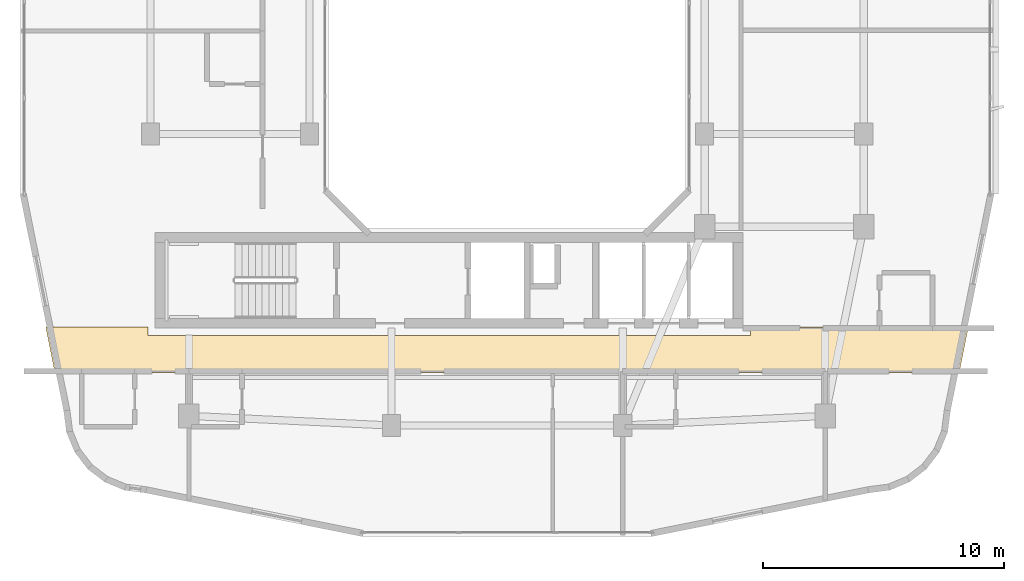
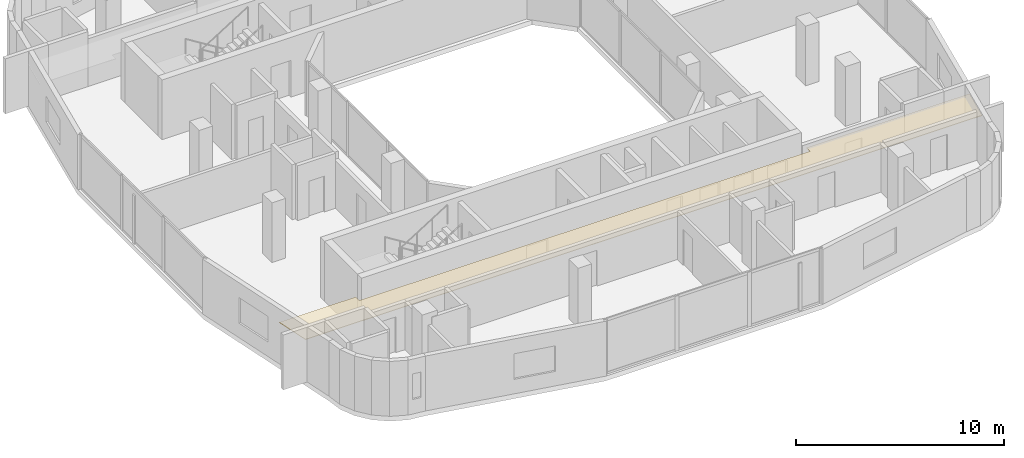
# One storey, part 12 of 14: 1 covering.
"""IFC4 building model written with IfcOpenShell, lengths in metres."""

import ifcopenshell
import ifcopenshell.guid

model = None  # the IFC model being written
_history = None  # IfcOwnerHistory: only IFC2X3 demands one
_inside = {}  # id of a spatial element -> (the spatial element, [elements in it])
_under = {}  # id of a project, library or spatial element -> (it, [spatial elements below it])
_declared = {}  # id of a project -> (the project, [libraries it declares])
_typed = {}  # id of a type object -> (the type object, [elements of that type])
_made_of = {}  # id of a material, layer set ... -> (it, [elements and type objects made of it])


def new_model(schema):
    """Start an empty IFC model of exactly this schema.

    Asked for "IFC4X3", IfcOpenShell would pick the latest addendum, in which some entities
    have other attributes; the version numbers below select the first issue.
    IFC2X3 requires an IfcOwnerHistory on every rooted entity: one is made here for all.
    """
    global model, _history
    if schema == "IFC4X3":
        model = ifcopenshell.file(schema_version=(4, 3, 0, 0))
    else:
        model = ifcopenshell.file(schema=schema)
    _inside.clear()
    _under.clear()
    _declared.clear()
    _typed.clear()
    _made_of.clear()
    _history = None
    if model.schema == "IFC2X3":
        org = make("IfcOrganization", Name="unknown")
        user = make(
            "IfcPersonAndOrganization",
            ThePerson=make("IfcPerson", FamilyName="unknown"),
            TheOrganization=org,
        )
        app = make(
            "IfcApplication",
            ApplicationDeveloper=org,
            Version="unknown",
            ApplicationFullName="unknown",
            ApplicationIdentifier="unknown",
        )
        _history = make(
            "IfcOwnerHistory",
            OwningUser=user,
            OwningApplication=app,
            ChangeAction="ADDED",
            CreationDate=0,
        )
    return model


def make(cls, **values):
    """One entity of the class cls with the attributes given. An attribute that is None is left unset."""
    return model.create_entity(
        cls, **{name: value for name, value in values.items() if value is not None}
    )


def rooted(cls, **values):
    """An entity with a GlobalId (a new one), such as an element, a storey or a relation."""
    return make(cls, GlobalId=ifcopenshell.guid.new(), OwnerHistory=_history, **values)


def si_unit(unit_type, name, prefix=None):
    """IfcSIUnit, for example si_unit("LENGTHUNIT", "METRE", prefix="MILLI")."""
    return make("IfcSIUnit", UnitType=unit_type, Prefix=prefix, Name=name)


def derived_unit(unit_type, elements):
    """IfcDerivedUnit: a product of units, each with its exponent."""
    return make(
        "IfcDerivedUnit",
        Elements=[
            make("IfcDerivedUnitElement", Unit=unit, Exponent=power)
            for unit, power in elements
        ],
        UnitType=unit_type,
    )


def assignment(units):
    """IfcUnitAssignment: the units of a project."""
    return None if units is None else make("IfcUnitAssignment", Units=units)


def point(xyz):
    """IfcCartesianPoint."""
    return None if xyz is None else make("IfcCartesianPoint", Coordinates=xyz)


def direction(xyz):
    """IfcDirection."""
    return None if xyz is None else make("IfcDirection", DirectionRatios=xyz)


def frame(location, z_axis=None, x_axis=None):
    """IfcAxis2Placement3D, a coordinate frame: its origin and axes. An axis left out is left unset."""
    return make(
        "IfcAxis2Placement3D",
        Location=point(location),
        Axis=direction(z_axis),
        RefDirection=direction(x_axis),
    )


def origin():
    """The frame at (0, 0, 0) with its axes left unset."""
    return frame((0.0, 0.0, 0.0))


def place(relative_to, where):
    """IfcLocalPlacement: puts the frame where relative to a parent placement (None: the world)."""
    return make(
        "IfcLocalPlacement", PlacementRelTo=relative_to, RelativePlacement=where
    )


def context(
    kind, dimensions, precision=None, world=None, true_north=None, identifier=None
):
    """IfcGeometricRepresentationContext, for example the 3D "Model" context."""
    return make(
        "IfcGeometricRepresentationContext",
        ContextIdentifier=identifier,
        ContextType=kind,
        CoordinateSpaceDimension=dimensions,
        Precision=precision,
        WorldCoordinateSystem=world,
        TrueNorth=true_north,
    )


def subcontext(parent, identifier, kind, view, scale=None):
    """IfcGeometricRepresentationSubContext, for example "Body" below "Model"."""
    return make(
        "IfcGeometricRepresentationSubContext",
        ContextIdentifier=identifier,
        ContextType=kind,
        ParentContext=parent,
        TargetScale=scale,
        TargetView=view,
    )


def project(units=None, contexts=None):
    """IfcProject with its units and contexts."""
    return rooted(
        "IfcProject",
        Name="project",
        RepresentationContexts=contexts,
        UnitsInContext=assignment(units),
    )


def spatial(cls, under=None, at=None, **own):
    """A site, building, storey or space (cls), placed at a placement, below another one or the project."""
    s = rooted(cls, ObjectPlacement=at, **own)
    if under is not None:
        _under.setdefault(under.id(), (under, []))[1].append(s)
    return s


def polyline(points):
    """IfcPolyline through the points."""
    return make("IfcPolyline", Points=[point(p) for p in points])


def outline(outer, holes=None, kind="AREA"):
    """IfcArbitraryClosedProfileDef: a profile drawn as a closed curve; with holes, ...WithVoids."""
    if holes is None:
        return make("IfcArbitraryClosedProfileDef", ProfileType=kind, OuterCurve=outer)
    return make(
        "IfcArbitraryProfileDefWithVoids",
        ProfileType=kind,
        OuterCurve=outer,
        InnerCurves=holes,
    )


def extrude(swept, where, along, depth):
    """IfcExtrudedAreaSolid: the profile swept, set in the frame where, extruded along a direction by depth."""
    return make(
        "IfcExtrudedAreaSolid",
        SweptArea=swept,
        Position=where,
        ExtrudedDirection=direction(along),
        Depth=depth,
    )


def shape(context_of_items, identifier, shape_type, items):
    """IfcShapeRepresentation: the items that make up one representation, for example the "Body"."""
    return make(
        "IfcShapeRepresentation",
        ContextOfItems=context_of_items,
        RepresentationIdentifier=identifier,
        RepresentationType=shape_type,
        Items=items,
    )


def material(Name=None, Category=None):
    """IfcMaterial."""
    return make("IfcMaterial", Name=Name, Category=Category)


def layer(
    of_material, thickness, ventilated=None, Name=None, Category=None, Priority=None
):
    """IfcMaterialLayer: one layer of a wall or slab, of a material (None: an air gap)."""
    return make(
        "IfcMaterialLayer",
        Material=of_material,
        LayerThickness=thickness,
        IsVentilated=ventilated,
        Name=Name,
        Category=Category,
        Priority=Priority,
    )


def layer_set(layers, Name=None):
    """IfcMaterialLayerSet."""
    return make("IfcMaterialLayerSet", MaterialLayers=layers, LayerSetName=Name)


def made_of(thing, what):
    """Note that an element or type object is made of a material, layer set ...; save() writes the relation."""
    if what is not None:
        _made_of.setdefault(what.id(), (what, []))[1].append(thing)
    return thing


def type_object(cls, material=None, **own):
    """A type object (cls), such as IfcWallType, which elements share."""
    return made_of(rooted(cls, **own), material)


def element(
    cls,
    number,
    at=None,
    inside=None,
    cuts=None,
    type_object=None,
    material=None,
    context=None,
    identifier="Body",
    shape_type=None,
    held_by="IfcProductDefinitionShape",
    body=None,
    shapes=None,
    **own,
):
    """One element of the class cls, such as IfcWall. Its Tag is "e" and its number.

    at: its placement. inside: the storey or other place that contains it. cuts: it is an
    opening in that element (IfcRelVoidsElement). A single representation is given by context,
    identifier, shape_type and body (its items); several are given by shapes. held_by: the class
    of the entity that holds the representations. save() writes the other relations.
    """
    e = rooted(cls, Tag="e%d" % number, ObjectPlacement=at, **own)
    if body is not None:
        shapes = [shape(context, identifier, shape_type, body)]
    if shapes is not None:
        e.Representation = make(held_by, Representations=shapes)
    if inside is not None:
        _inside.setdefault(inside.id(), (inside, []))[1].append(e)
    if cuts is not None:
        rooted(
            "IfcRelVoidsElement", RelatingBuildingElement=cuts, RelatedOpeningElement=e
        )
    if type_object is not None:
        _typed.setdefault(type_object.id(), (type_object, []))[1].append(e)
    return made_of(e, material)


def aggregate(whole, parts):
    """IfcRelAggregates: a whole, such as a stair, and the parts it consists of."""
    return rooted("IfcRelAggregates", RelatingObject=whole, RelatedObjects=parts)


def save(model, path):
    """Write the relations noted so far, then the file.

    IfcRelAggregates (storeys below a building ...), IfcRelContainedInSpatialStructure (elements
    in a storey), IfcRelDefinesByType, IfcRelAssociatesMaterial and IfcRelDeclares: one each for
    every whole, place, type object, material and project.
    """
    for whole, parts in _under.values():
        aggregate(whole, parts)
    for where, things in _inside.values():
        rooted(
            "IfcRelContainedInSpatialStructure",
            RelatedElements=things,
            RelatingStructure=where,
        )
    for kind, things in _typed.values():
        rooted("IfcRelDefinesByType", RelatedObjects=things, RelatingType=kind)
    for what, things in _made_of.values():
        rooted("IfcRelAssociatesMaterial", RelatedObjects=things, RelatingMaterial=what)
    for by, libraries in _declared.values():
        rooted("IfcRelDeclares", RelatingContext=by, RelatedDefinitions=libraries)
    model.write(path)


model = new_model("IFC4")

# Units and contexts
model_context = context("Model", 3, precision=1e-05, world=origin(), true_north=direction((0.0, 1.0)))
body_context = subcontext(model_context, "Body", "Model", "MODEL_VIEW")
ifc_project = project(units=[si_unit("LENGTHUNIT", "METRE"), si_unit("AREAUNIT", "SQUARE_METRE"), si_unit("VOLUMEUNIT", "CUBIC_METRE"), si_unit("PLANEANGLEUNIT", "RADIAN"), si_unit("MASSUNIT", "GRAM", prefix="KILO"), derived_unit("THERMALTRANSMITTANCEUNIT", [(si_unit("POWERUNIT", "WATT"), 1), (si_unit("LENGTHUNIT", "METRE"), -2), (si_unit("THERMODYNAMICTEMPERATUREUNIT", "KELVIN"), -1)])], contexts=[model_context])

# Site, building, storey
site_placement = place(None, origin())
site = spatial("IfcSite", under=ifc_project, at=site_placement, CompositionType="ELEMENT")
building_placement = place(site_placement, origin())
building = spatial("IfcBuilding", under=site, at=building_placement, Name="Kivonza Crest Hotel", CompositionType="ELEMENT")
storey_placement = place(building_placement, frame((0.0, 0.0, 141.5)))
storey = spatial("IfcBuildingStorey", under=building, at=storey_placement, Name="L38", CompositionType="ELEMENT", Elevation=141.5)

# Covering
ifc_material = material(Name="Moisture-resistant gypsum plasterboard ceiling", Category="gypsum")
ifc_layer = layer(ifc_material, 0.030029296875)
ifc_layer_set = layer_set([ifc_layer], Name="Moisture-resistant gypsum plasterboard ceiling")
covering_type = type_object("IfcCoveringType", Name="CV-CEIL-GYP", PredefinedType="CEILING", material=ifc_layer_set)
covering_placement = place(storey_placement, frame((0.0, 0.0, 2.449951171875)))
element("IfcCovering", 1, at=covering_placement, inside=storey, type_object=covering_type, Name="L38 Hotel South Guest Corridor suspended ceiling", PredefinedType="CEILING", context=body_context, shape_type="SweptSolid", body=[
    extrude(outline(polyline([(1.85791015625, 13.47998046875), (2.235107421875, 11.610107421875), (39.764892578125, 11.610107421875), (40.14208984375, 13.47998046875), (31.10009765625, 13.47998046875), (31.10009765625, 13.139892578125), (6.10009765625, 13.139892578125), (6.10009765625, 13.47998046875), (1.85791015625, 13.47998046875)])), origin(), (0.0, 0.0, 1.0), 0.030029296875),
])

save(model, "model.ifc")
